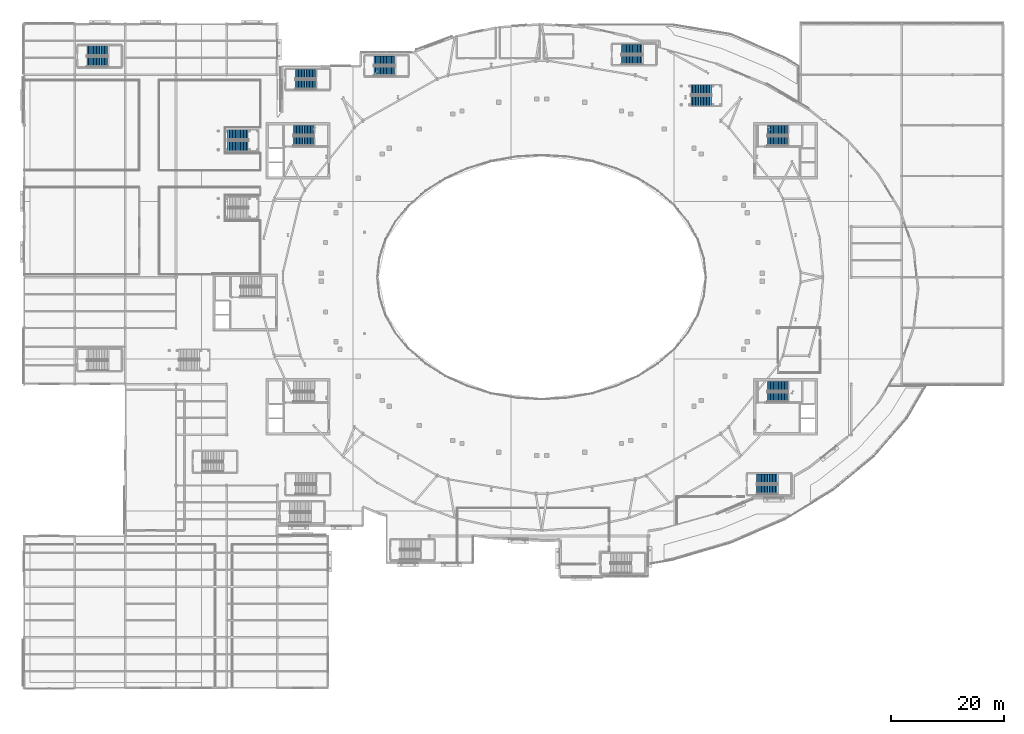
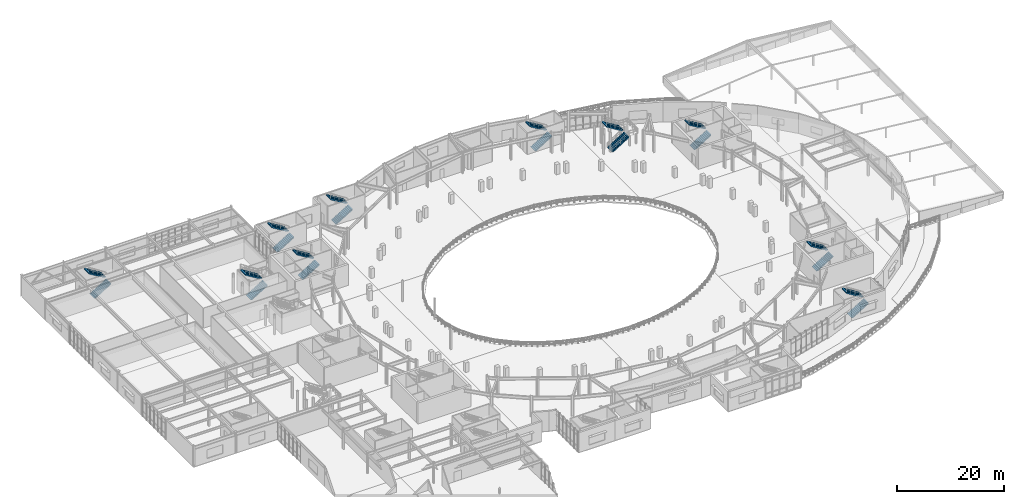
# One storey, part 66 of 84: 20 stair flights, 10 elements without a shape of their own.
"""IFC4 building model written with IfcOpenShell, lengths in metres."""

from ifc_helpers import new_model, si_unit, direction, frame, origin, place, context, subcontext, project, spatial, polyline, outline, extrude, material, type_object, element, aggregate, save


model = new_model("IFC4")

# Units and contexts
model_context = context("Model", 3, precision=1e-05, world=origin(), true_north=direction((0.0, 1.0)))
body_context = subcontext(model_context, "Body", "Model", "MODEL_VIEW")
ifc_project = project(units=[si_unit("LENGTHUNIT", "METRE"), si_unit("AREAUNIT", "SQUARE_METRE"), si_unit("VOLUMEUNIT", "CUBIC_METRE"), si_unit("PLANEANGLEUNIT", "RADIAN"), si_unit("MASSUNIT", "GRAM", prefix="KILO")], contexts=[model_context])

# Site, building, storey
site_placement = place(None, origin())
site = spatial("IfcSite", under=ifc_project, at=site_placement, CompositionType="ELEMENT")
building_placement = place(site_placement, origin())
building = spatial("IfcBuilding", under=site, at=building_placement, Name="Glasvene Arena", CompositionType="ELEMENT")
storey_placement = place(building_placement, frame((0.0, 0.0, 10.199951171875)))
storey = spatial("IfcBuildingStorey", under=building, at=storey_placement, Name="L02", CompositionType="ELEMENT", Elevation=10.199951171875)

# Stair, stair flights
ifc_material = material(Name="Concrete C40/50", Category="concrete")
stair_type_1 = type_object("IfcStairType", Name="ST-HT-480-165", PredefinedType="HALF_TURN_STAIR", material=ifc_material)
stair_1_placement = place(storey_placement, origin())
stair_1 = element("IfcStair", 1, at=stair_1_placement, inside=storey, type_object=stair_type_1, Name="Protected escape stair ST-10 (L02 to L03)", PredefinedType="HALF_TURN_STAIR")
stair_flight_type_1 = type_object("IfcStairFlightType", Name="SF-HT-480-165", PredefinedType="STRAIGHT", material=ifc_material)
stair_flight_1_placement = place(storey_placement, frame((62.199951171875, 109.625, 0.0), z_axis=(0.0, 0.0, 1.0), x_axis=(1.0, 0.0, 0.0)))
stair_flight_1 = element("IfcStairFlight", 2, at=stair_flight_1_placement, type_object=stair_flight_type_1, Name="Protected escape stair ST-10 (L02 to L03) flight 1", NumberOfRisers=14, NumberOfTreads=13, PredefinedType="STRAIGHT", RiserHeight=0.171429, TreadLength=0.28, context=body_context, shape_type="SweptSolid", body=[
    extrude(outline(polyline([(0.0, 0.0), (0.0, 0.17138671875), (0.280029296875, 0.17138671875), (0.280029296875, 0.3427734375), (0.56005859375, 0.3427734375), (0.56005859375, 0.514404296875), (0.840087890625, 0.514404296875), (0.840087890625, 0.685791015625), (1.1201171875, 0.685791015625), (1.1201171875, 0.857177734375), (1.39990234375, 0.857177734375), (1.39990234375, 1.028564453125), (1.679931640625, 1.028564453125), (1.679931640625, 1.199951171875), (1.9599609375, 1.199951171875), (1.9599609375, 1.371337890625), (2.239990234375, 1.371337890625), (2.239990234375, 1.54296875), (2.52001953125, 1.54296875), (2.52001953125, 1.71435546875), (2.800048828125, 1.71435546875), (2.800048828125, 1.8857421875), (3.080078125, 1.8857421875), (3.080078125, 2.05712890625), (3.360107421875, 2.05712890625), (3.360107421875, 2.228515625), (3.639892578125, 2.228515625), (3.639892578125, 2.39990234375), (3.639892578125, 1.994140625), (0.383056640625, 0.0), (0.0, 0.0)])), frame((0.0, 0.824951171875, 0.0), z_axis=(0.0, -1.0, 0.0), x_axis=(1.0, 0.0, 0.0)), (0.0, 0.0, 1.0), 1.64990234375),
])
stair_flight_2_placement = place(storey_placement, frame((65.840087890625, 111.52490234375, 2.400146484375), z_axis=(0.0, 0.0, 1.0), x_axis=(-1.0, 0.0, 0.0)))
stair_flight_2 = element("IfcStairFlight", 3, at=stair_flight_2_placement, type_object=stair_flight_type_1, Name="Protected escape stair ST-10 (L02 to L03) flight 2", NumberOfRisers=14, NumberOfTreads=13, PredefinedType="STRAIGHT", RiserHeight=0.171429, TreadLength=0.28, context=body_context, shape_type="SweptSolid", body=[
    extrude(outline(polyline([(0.0, 0.0), (0.0, 0.17138671875), (0.280029296875, 0.17138671875), (0.280029296875, 0.3427734375), (0.56005859375, 0.3427734375), (0.56005859375, 0.514404296875), (0.840087890625, 0.514404296875), (0.840087890625, 0.685791015625), (1.1201171875, 0.685791015625), (1.1201171875, 0.857177734375), (1.39990234375, 0.857177734375), (1.39990234375, 1.028564453125), (1.679931640625, 1.028564453125), (1.679931640625, 1.199951171875), (1.9599609375, 1.199951171875), (1.9599609375, 1.371337890625), (2.239990234375, 1.371337890625), (2.239990234375, 1.54296875), (2.52001953125, 1.54296875), (2.52001953125, 1.71435546875), (2.800048828125, 1.71435546875), (2.800048828125, 1.8857421875), (3.080078125, 1.8857421875), (3.080078125, 2.05712890625), (3.360107421875, 2.05712890625), (3.360107421875, 2.228515625), (3.639892578125, 2.228515625), (3.639892578125, 2.39990234375), (3.639892578125, 1.994140625), (0.383056640625, 0.0), (0.0, 0.0)])), frame((0.0, 0.824951171875, 0.0), z_axis=(0.0, -1.0, 0.0), x_axis=(1.0, 0.0, 0.0)), (0.0, 0.0, 1.0), 1.64990234375),
])
aggregate(stair_1, [stair_flight_1, stair_flight_2])

stair_2_placement = place(storey_placement, origin())
stair_2 = element("IfcStair", 4, at=stair_2_placement, inside=storey, type_object=stair_type_1, Name="Protected escape stair ST-11 (L02 to L03)", PredefinedType="HALF_TURN_STAIR")
stair_flight_3_placement = place(storey_placement, frame((106.199951171875, 111.625, 0.0), z_axis=(0.0, 0.0, 1.0), x_axis=(1.0, 0.0, 0.0)))
stair_flight_3 = element("IfcStairFlight", 5, at=stair_flight_3_placement, type_object=stair_flight_type_1, Name="Protected escape stair ST-11 (L02 to L03) flight 1", NumberOfRisers=14, NumberOfTreads=13, PredefinedType="STRAIGHT", RiserHeight=0.171429, TreadLength=0.28, context=body_context, shape_type="SweptSolid", body=[
    extrude(outline(polyline([(0.0, 0.0), (0.0, 0.17138671875), (0.280029296875, 0.17138671875), (0.280029296875, 0.3427734375), (0.56005859375, 0.3427734375), (0.56005859375, 0.514404296875), (0.840087890625, 0.514404296875), (0.840087890625, 0.685791015625), (1.1201171875, 0.685791015625), (1.1201171875, 0.857177734375), (1.39990234375, 0.857177734375), (1.39990234375, 1.028564453125), (1.679931640625, 1.028564453125), (1.679931640625, 1.199951171875), (1.9599609375, 1.199951171875), (1.9599609375, 1.371337890625), (2.239990234375, 1.371337890625), (2.239990234375, 1.54296875), (2.52001953125, 1.54296875), (2.52001953125, 1.71435546875), (2.800048828125, 1.71435546875), (2.800048828125, 1.8857421875), (3.080078125, 1.8857421875), (3.080078125, 2.05712890625), (3.360107421875, 2.05712890625), (3.360107421875, 2.228515625), (3.639892578125, 2.228515625), (3.639892578125, 2.39990234375), (3.639892578125, 1.994140625), (0.383056640625, 0.0), (0.0, 0.0)])), frame((0.0, 0.824951171875, 0.0), z_axis=(0.0, -1.0, 0.0), x_axis=(1.0, 0.0, 0.0)), (0.0, 0.0, 1.0), 1.64990234375),
])
stair_flight_4_placement = place(storey_placement, frame((109.840087890625, 113.52490234375, 2.400146484375), z_axis=(0.0, 0.0, 1.0), x_axis=(-1.0, 0.0, 0.0)))
stair_flight_4 = element("IfcStairFlight", 6, at=stair_flight_4_placement, type_object=stair_flight_type_1, Name="Protected escape stair ST-11 (L02 to L03) flight 2", NumberOfRisers=14, NumberOfTreads=13, PredefinedType="STRAIGHT", RiserHeight=0.171429, TreadLength=0.28, context=body_context, shape_type="SweptSolid", body=[
    extrude(outline(polyline([(0.0, 0.0), (0.0, 0.17138671875), (0.280029296875, 0.17138671875), (0.280029296875, 0.3427734375), (0.56005859375, 0.3427734375), (0.56005859375, 0.514404296875), (0.840087890625, 0.514404296875), (0.840087890625, 0.685791015625), (1.1201171875, 0.685791015625), (1.1201171875, 0.857177734375), (1.39990234375, 0.857177734375), (1.39990234375, 1.028564453125), (1.679931640625, 1.028564453125), (1.679931640625, 1.199951171875), (1.9599609375, 1.199951171875), (1.9599609375, 1.371337890625), (2.239990234375, 1.371337890625), (2.239990234375, 1.54296875), (2.52001953125, 1.54296875), (2.52001953125, 1.71435546875), (2.800048828125, 1.71435546875), (2.800048828125, 1.8857421875), (3.080078125, 1.8857421875), (3.080078125, 2.05712890625), (3.360107421875, 2.05712890625), (3.360107421875, 2.228515625), (3.639892578125, 2.228515625), (3.639892578125, 2.39990234375), (3.639892578125, 1.994140625), (0.383056640625, 0.0), (0.0, 0.0)])), frame((0.0, 0.824951171875, 0.0), z_axis=(0.0, -1.0, 0.0), x_axis=(1.0, 0.0, 0.0)), (0.0, 0.0, 1.0), 1.64990234375),
])
aggregate(stair_2, [stair_flight_3, stair_flight_4])

stair_3_placement = place(storey_placement, origin())
stair_3 = element("IfcStair", 7, at=stair_3_placement, inside=storey, type_object=stair_type_1, Name="Protected escape stair ST-12 (L02 to L03)", PredefinedType="HALF_TURN_STAIR")
stair_flight_5_placement = place(storey_placement, frame((48.199951171875, 107.22509765625, 0.0), z_axis=(0.0, 0.0, 1.0), x_axis=(1.0, 0.0, 0.0)))
stair_flight_5 = element("IfcStairFlight", 8, at=stair_flight_5_placement, type_object=stair_flight_type_1, Name="Protected escape stair ST-12 (L02 to L03) flight 1", NumberOfRisers=14, NumberOfTreads=13, PredefinedType="STRAIGHT", RiserHeight=0.171429, TreadLength=0.28, context=body_context, shape_type="SweptSolid", body=[
    extrude(outline(polyline([(0.0, 0.0), (0.0, 0.17138671875), (0.280029296875, 0.17138671875), (0.280029296875, 0.3427734375), (0.56005859375, 0.3427734375), (0.56005859375, 0.514404296875), (0.840087890625, 0.514404296875), (0.840087890625, 0.685791015625), (1.1201171875, 0.685791015625), (1.1201171875, 0.857177734375), (1.39990234375, 0.857177734375), (1.39990234375, 1.028564453125), (1.679931640625, 1.028564453125), (1.679931640625, 1.199951171875), (1.9599609375, 1.199951171875), (1.9599609375, 1.371337890625), (2.239990234375, 1.371337890625), (2.239990234375, 1.54296875), (2.52001953125, 1.54296875), (2.52001953125, 1.71435546875), (2.800048828125, 1.71435546875), (2.800048828125, 1.8857421875), (3.080078125, 1.8857421875), (3.080078125, 2.05712890625), (3.360107421875, 2.05712890625), (3.360107421875, 2.228515625), (3.639892578125, 2.228515625), (3.639892578125, 2.39990234375), (3.639892578125, 1.994140625), (0.383056640625, 0.0), (0.0, 0.0)])), frame((0.0, 0.824951171875, 0.0), z_axis=(0.0, -1.0, 0.0), x_axis=(1.0, 0.0, 0.0)), (0.0, 0.0, 1.0), 1.64990234375),
])
stair_flight_6_placement = place(storey_placement, frame((51.840087890625, 109.125, 2.400146484375), z_axis=(0.0, 0.0, 1.0), x_axis=(-1.0, 0.0, 0.0)))
stair_flight_6 = element("IfcStairFlight", 9, at=stair_flight_6_placement, type_object=stair_flight_type_1, Name="Protected escape stair ST-12 (L02 to L03) flight 2", NumberOfRisers=14, NumberOfTreads=13, PredefinedType="STRAIGHT", RiserHeight=0.171429, TreadLength=0.28, context=body_context, shape_type="SweptSolid", body=[
    extrude(outline(polyline([(0.0, 0.0), (0.0, 0.17138671875), (0.280029296875, 0.17138671875), (0.280029296875, 0.3427734375), (0.56005859375, 0.3427734375), (0.56005859375, 0.514404296875), (0.840087890625, 0.514404296875), (0.840087890625, 0.685791015625), (1.1201171875, 0.685791015625), (1.1201171875, 0.857177734375), (1.39990234375, 0.857177734375), (1.39990234375, 1.028564453125), (1.679931640625, 1.028564453125), (1.679931640625, 1.199951171875), (1.9599609375, 1.199951171875), (1.9599609375, 1.371337890625), (2.239990234375, 1.371337890625), (2.239990234375, 1.54296875), (2.52001953125, 1.54296875), (2.52001953125, 1.71435546875), (2.800048828125, 1.71435546875), (2.800048828125, 1.8857421875), (3.080078125, 1.8857421875), (3.080078125, 2.05712890625), (3.360107421875, 2.05712890625), (3.360107421875, 2.228515625), (3.639892578125, 2.228515625), (3.639892578125, 2.39990234375), (3.639892578125, 1.994140625), (0.383056640625, 0.0), (0.0, 0.0)])), frame((0.0, 0.824951171875, 0.0), z_axis=(0.0, -1.0, 0.0), x_axis=(1.0, 0.0, 0.0)), (0.0, 0.0, 1.0), 1.64990234375),
])
aggregate(stair_3, [stair_flight_5, stair_flight_6])

stair_type_2 = type_object("IfcStairType", Name="ST-HT-480-170", PredefinedType="HALF_TURN_STAIR", material=ifc_material)
stair_4_placement = place(storey_placement, origin())
stair_4 = element("IfcStair", 10, at=stair_4_placement, inside=storey, type_object=stair_type_2, Name="Protected escape stair ST-01 (L02 to L03)", PredefinedType="HALF_TURN_STAIR")
stair_flight_type_2 = type_object("IfcStairFlightType", Name="SF-HT-480-170", PredefinedType="STRAIGHT", material=ifc_material)
stair_flight_7_placement = place(storey_placement, frame((47.85009765625, 97.199951171875, 0.0), z_axis=(0.0, 0.0, 1.0), x_axis=(1.0, 0.0, 0.0)))
stair_flight_7 = element("IfcStairFlight", 11, at=stair_flight_7_placement, type_object=stair_flight_type_2, Name="Protected escape stair ST-01 (L02 to L03) flight 1", NumberOfRisers=14, NumberOfTreads=13, PredefinedType="STRAIGHT", RiserHeight=0.171429, TreadLength=0.28, context=body_context, shape_type="SweptSolid", body=[
    extrude(outline(polyline([(0.0, 0.0), (0.0, 0.17138671875), (0.280029296875, 0.17138671875), (0.280029296875, 0.3427734375), (0.56005859375, 0.3427734375), (0.56005859375, 0.514404296875), (0.840087890625, 0.514404296875), (0.840087890625, 0.685791015625), (1.1201171875, 0.685791015625), (1.1201171875, 0.857177734375), (1.39990234375, 0.857177734375), (1.39990234375, 1.028564453125), (1.679931640625, 1.028564453125), (1.679931640625, 1.199951171875), (1.9599609375, 1.199951171875), (1.9599609375, 1.371337890625), (2.239990234375, 1.371337890625), (2.239990234375, 1.54296875), (2.52001953125, 1.54296875), (2.52001953125, 1.71435546875), (2.800048828125, 1.71435546875), (2.800048828125, 1.8857421875), (3.080078125, 1.8857421875), (3.080078125, 2.05712890625), (3.360107421875, 2.05712890625), (3.360107421875, 2.228515625), (3.639892578125, 2.228515625), (3.639892578125, 2.39990234375), (3.639892578125, 1.994140625), (0.383056640625, 0.0), (0.0, 0.0)])), frame((0.0, 0.85009765625, 0.0), z_axis=(0.0, -1.0, 0.0), x_axis=(1.0, 0.0, 0.0)), (0.0, 0.0, 1.0), 1.699951171875),
])
stair_flight_8_placement = place(storey_placement, frame((51.489990234375, 99.14990234375, 2.400146484375), z_axis=(0.0, 0.0, 1.0), x_axis=(-1.0, 0.0, 0.0)))
stair_flight_8 = element("IfcStairFlight", 12, at=stair_flight_8_placement, type_object=stair_flight_type_2, Name="Protected escape stair ST-01 (L02 to L03) flight 2", NumberOfRisers=14, NumberOfTreads=13, PredefinedType="STRAIGHT", RiserHeight=0.171429, TreadLength=0.28, context=body_context, shape_type="SweptSolid", body=[
    extrude(outline(polyline([(0.0, 0.0), (0.0, 0.17138671875), (0.280029296875, 0.17138671875), (0.280029296875, 0.3427734375), (0.56005859375, 0.3427734375), (0.56005859375, 0.514404296875), (0.840087890625, 0.514404296875), (0.840087890625, 0.685791015625), (1.1201171875, 0.685791015625), (1.1201171875, 0.857177734375), (1.39990234375, 0.857177734375), (1.39990234375, 1.028564453125), (1.679931640625, 1.028564453125), (1.679931640625, 1.199951171875), (1.9599609375, 1.199951171875), (1.9599609375, 1.371337890625), (2.239990234375, 1.371337890625), (2.239990234375, 1.54296875), (2.52001953125, 1.54296875), (2.52001953125, 1.71435546875), (2.800048828125, 1.71435546875), (2.800048828125, 1.8857421875), (3.080078125, 1.8857421875), (3.080078125, 2.05712890625), (3.360107421875, 2.05712890625), (3.360107421875, 2.228515625), (3.639892578125, 2.228515625), (3.639892578125, 2.39990234375), (3.639892578125, 1.994140625), (0.383056640625, 0.0), (0.0, 0.0)])), frame((0.0, 0.85009765625, 0.0), z_axis=(0.0, -1.0, 0.0), x_axis=(1.0, 0.0, 0.0)), (0.0, 0.0, 1.0), 1.699951171875),
])
aggregate(stair_4, [stair_flight_7, stair_flight_8])

stair_5_placement = place(storey_placement, origin())
stair_5 = element("IfcStair", 13, at=stair_5_placement, inside=storey, type_object=stair_type_2, Name="Protected escape stair ST-02 (L02 to L03)", PredefinedType="HALF_TURN_STAIR")
stair_flight_9_placement = place(storey_placement, frame((132.10009765625, 97.199951171875, 0.0), z_axis=(0.0, 0.0, 1.0), x_axis=(1.0, 0.0, 0.0)))
stair_flight_9 = element("IfcStairFlight", 14, at=stair_flight_9_placement, type_object=stair_flight_type_2, Name="Protected escape stair ST-02 (L02 to L03) flight 1", NumberOfRisers=14, NumberOfTreads=13, PredefinedType="STRAIGHT", RiserHeight=0.171429, TreadLength=0.28, context=body_context, shape_type="SweptSolid", body=[
    extrude(outline(polyline([(0.0, 0.0), (0.0, 0.17138671875), (0.280029296875, 0.17138671875), (0.280029296875, 0.3427734375), (0.56005859375, 0.3427734375), (0.56005859375, 0.514404296875), (0.840087890625, 0.514404296875), (0.840087890625, 0.685791015625), (1.1201171875, 0.685791015625), (1.1201171875, 0.857177734375), (1.39990234375, 0.857177734375), (1.39990234375, 1.028564453125), (1.679931640625, 1.028564453125), (1.679931640625, 1.199951171875), (1.9599609375, 1.199951171875), (1.9599609375, 1.371337890625), (2.239990234375, 1.371337890625), (2.239990234375, 1.54296875), (2.52001953125, 1.54296875), (2.52001953125, 1.71435546875), (2.800048828125, 1.71435546875), (2.800048828125, 1.8857421875), (3.080078125, 1.8857421875), (3.080078125, 2.05712890625), (3.360107421875, 2.05712890625), (3.360107421875, 2.228515625), (3.639892578125, 2.228515625), (3.639892578125, 2.39990234375), (3.639892578125, 1.994140625), (0.383056640625, 0.0), (0.0, 0.0)])), frame((0.0, 0.85009765625, 0.0), z_axis=(0.0, -1.0, 0.0), x_axis=(1.0, 0.0, 0.0)), (0.0, 0.0, 1.0), 1.699951171875),
])
stair_flight_10_placement = place(storey_placement, frame((135.739990234375, 99.14990234375, 2.400146484375), z_axis=(0.0, 0.0, 1.0), x_axis=(-1.0, 0.0, 0.0)))
stair_flight_10 = element("IfcStairFlight", 15, at=stair_flight_10_placement, type_object=stair_flight_type_2, Name="Protected escape stair ST-02 (L02 to L03) flight 2", NumberOfRisers=14, NumberOfTreads=13, PredefinedType="STRAIGHT", RiserHeight=0.171429, TreadLength=0.28, context=body_context, shape_type="SweptSolid", body=[
    extrude(outline(polyline([(0.0, 0.0), (0.0, 0.17138671875), (0.280029296875, 0.17138671875), (0.280029296875, 0.3427734375), (0.56005859375, 0.3427734375), (0.56005859375, 0.514404296875), (0.840087890625, 0.514404296875), (0.840087890625, 0.685791015625), (1.1201171875, 0.685791015625), (1.1201171875, 0.857177734375), (1.39990234375, 0.857177734375), (1.39990234375, 1.028564453125), (1.679931640625, 1.028564453125), (1.679931640625, 1.199951171875), (1.9599609375, 1.199951171875), (1.9599609375, 1.371337890625), (2.239990234375, 1.371337890625), (2.239990234375, 1.54296875), (2.52001953125, 1.54296875), (2.52001953125, 1.71435546875), (2.800048828125, 1.71435546875), (2.800048828125, 1.8857421875), (3.080078125, 1.8857421875), (3.080078125, 2.05712890625), (3.360107421875, 2.05712890625), (3.360107421875, 2.228515625), (3.639892578125, 2.228515625), (3.639892578125, 2.39990234375), (3.639892578125, 1.994140625), (0.383056640625, 0.0), (0.0, 0.0)])), frame((0.0, 0.85009765625, 0.0), z_axis=(0.0, -1.0, 0.0), x_axis=(1.0, 0.0, 0.0)), (0.0, 0.0, 1.0), 1.699951171875),
])
aggregate(stair_5, [stair_flight_9, stair_flight_10])

stair_6_placement = place(storey_placement, origin())
stair_6 = element("IfcStair", 16, at=stair_6_placement, inside=storey, type_object=stair_type_2, Name="Protected escape stair ST-04 (L02 to L03)", PredefinedType="HALF_TURN_STAIR")
stair_flight_11_placement = place(storey_placement, frame((132.10009765625, 51.699951171875, 0.0), z_axis=(0.0, 0.0, 1.0), x_axis=(1.0, 0.0, 0.0)))
stair_flight_11 = element("IfcStairFlight", 17, at=stair_flight_11_placement, type_object=stair_flight_type_2, Name="Protected escape stair ST-04 (L02 to L03) flight 1", NumberOfRisers=14, NumberOfTreads=13, PredefinedType="STRAIGHT", RiserHeight=0.171429, TreadLength=0.28, context=body_context, shape_type="SweptSolid", body=[
    extrude(outline(polyline([(0.0, 0.0), (0.0, 0.17138671875), (0.280029296875, 0.17138671875), (0.280029296875, 0.3427734375), (0.56005859375, 0.3427734375), (0.56005859375, 0.514404296875), (0.840087890625, 0.514404296875), (0.840087890625, 0.685791015625), (1.1201171875, 0.685791015625), (1.1201171875, 0.857177734375), (1.39990234375, 0.857177734375), (1.39990234375, 1.028564453125), (1.679931640625, 1.028564453125), (1.679931640625, 1.199951171875), (1.9599609375, 1.199951171875), (1.9599609375, 1.371337890625), (2.239990234375, 1.371337890625), (2.239990234375, 1.54296875), (2.52001953125, 1.54296875), (2.52001953125, 1.71435546875), (2.800048828125, 1.71435546875), (2.800048828125, 1.8857421875), (3.080078125, 1.8857421875), (3.080078125, 2.05712890625), (3.360107421875, 2.05712890625), (3.360107421875, 2.228515625), (3.639892578125, 2.228515625), (3.639892578125, 2.39990234375), (3.639892578125, 1.994140625), (0.383056640625, 0.0), (0.0, 0.0)])), frame((0.0, 0.85009765625, 0.0), z_axis=(0.0, -1.0, 0.0), x_axis=(1.0, 0.0, 0.0)), (0.0, 0.0, 1.0), 1.699951171875),
])
stair_flight_12_placement = place(storey_placement, frame((135.739990234375, 53.64990234375, 2.400146484375), z_axis=(0.0, 0.0, 1.0), x_axis=(-1.0, 0.0, 0.0)))
stair_flight_12 = element("IfcStairFlight", 18, at=stair_flight_12_placement, type_object=stair_flight_type_2, Name="Protected escape stair ST-04 (L02 to L03) flight 2", NumberOfRisers=14, NumberOfTreads=13, PredefinedType="STRAIGHT", RiserHeight=0.171429, TreadLength=0.28, context=body_context, shape_type="SweptSolid", body=[
    extrude(outline(polyline([(0.0, 0.0), (0.0, 0.17138671875), (0.280029296875, 0.17138671875), (0.280029296875, 0.3427734375), (0.56005859375, 0.3427734375), (0.56005859375, 0.514404296875), (0.840087890625, 0.514404296875), (0.840087890625, 0.685791015625), (1.1201171875, 0.685791015625), (1.1201171875, 0.857177734375), (1.39990234375, 0.857177734375), (1.39990234375, 1.028564453125), (1.679931640625, 1.028564453125), (1.679931640625, 1.199951171875), (1.9599609375, 1.199951171875), (1.9599609375, 1.371337890625), (2.239990234375, 1.371337890625), (2.239990234375, 1.54296875), (2.52001953125, 1.54296875), (2.52001953125, 1.71435546875), (2.800048828125, 1.71435546875), (2.800048828125, 1.8857421875), (3.080078125, 1.8857421875), (3.080078125, 2.05712890625), (3.360107421875, 2.05712890625), (3.360107421875, 2.228515625), (3.639892578125, 2.228515625), (3.639892578125, 2.39990234375), (3.639892578125, 1.994140625), (0.383056640625, 0.0), (0.0, 0.0)])), frame((0.0, 0.85009765625, 0.0), z_axis=(0.0, -1.0, 0.0), x_axis=(1.0, 0.0, 0.0)), (0.0, 0.0, 1.0), 1.699951171875),
])
aggregate(stair_6, [stair_flight_11, stair_flight_12])

stair_7_placement = place(storey_placement, origin())
stair_7 = element("IfcStair", 19, at=stair_7_placement, inside=storey, type_object=stair_type_2, Name="Protected escape stair ST-06 (L02 to L03)", PredefinedType="HALF_TURN_STAIR")
stair_flight_13_placement = place(storey_placement, frame((130.199951171875, 35.25, 0.0), z_axis=(0.0, 0.0, 1.0), x_axis=(1.0, 0.0, 0.0)))
stair_flight_13 = element("IfcStairFlight", 20, at=stair_flight_13_placement, type_object=stair_flight_type_2, Name="Protected escape stair ST-06 (L02 to L03) flight 1", NumberOfRisers=14, NumberOfTreads=13, PredefinedType="STRAIGHT", RiserHeight=0.171429, TreadLength=0.28, context=body_context, shape_type="SweptSolid", body=[
    extrude(outline(polyline([(0.0, 0.0), (0.0, 0.17138671875), (0.280029296875, 0.17138671875), (0.280029296875, 0.3427734375), (0.56005859375, 0.3427734375), (0.56005859375, 0.514404296875), (0.840087890625, 0.514404296875), (0.840087890625, 0.685791015625), (1.1201171875, 0.685791015625), (1.1201171875, 0.857177734375), (1.39990234375, 0.857177734375), (1.39990234375, 1.028564453125), (1.679931640625, 1.028564453125), (1.679931640625, 1.199951171875), (1.9599609375, 1.199951171875), (1.9599609375, 1.371337890625), (2.239990234375, 1.371337890625), (2.239990234375, 1.54296875), (2.52001953125, 1.54296875), (2.52001953125, 1.71435546875), (2.800048828125, 1.71435546875), (2.800048828125, 1.8857421875), (3.080078125, 1.8857421875), (3.080078125, 2.05712890625), (3.360107421875, 2.05712890625), (3.360107421875, 2.228515625), (3.639892578125, 2.228515625), (3.639892578125, 2.39990234375), (3.639892578125, 1.994140625), (0.383056640625, 0.0), (0.0, 0.0)])), frame((0.0, 0.85009765625, 0.0), z_axis=(0.0, -1.0, 0.0), x_axis=(1.0, 0.0, 0.0)), (0.0, 0.0, 1.0), 1.699951171875),
])
stair_flight_14_placement = place(storey_placement, frame((133.840087890625, 37.199951171875, 2.400146484375), z_axis=(0.0, 0.0, 1.0), x_axis=(-1.0, 0.0, 0.0)))
stair_flight_14 = element("IfcStairFlight", 21, at=stair_flight_14_placement, type_object=stair_flight_type_2, Name="Protected escape stair ST-06 (L02 to L03) flight 2", NumberOfRisers=14, NumberOfTreads=13, PredefinedType="STRAIGHT", RiserHeight=0.171429, TreadLength=0.28, context=body_context, shape_type="SweptSolid", body=[
    extrude(outline(polyline([(0.0, 0.0), (0.0, 0.17138671875), (0.280029296875, 0.17138671875), (0.280029296875, 0.3427734375), (0.56005859375, 0.3427734375), (0.56005859375, 0.514404296875), (0.840087890625, 0.514404296875), (0.840087890625, 0.685791015625), (1.1201171875, 0.685791015625), (1.1201171875, 0.857177734375), (1.39990234375, 0.857177734375), (1.39990234375, 1.028564453125), (1.679931640625, 1.028564453125), (1.679931640625, 1.199951171875), (1.9599609375, 1.199951171875), (1.9599609375, 1.371337890625), (2.239990234375, 1.371337890625), (2.239990234375, 1.54296875), (2.52001953125, 1.54296875), (2.52001953125, 1.71435546875), (2.800048828125, 1.71435546875), (2.800048828125, 1.8857421875), (3.080078125, 1.8857421875), (3.080078125, 2.05712890625), (3.360107421875, 2.05712890625), (3.360107421875, 2.228515625), (3.639892578125, 2.228515625), (3.639892578125, 2.39990234375), (3.639892578125, 1.994140625), (0.383056640625, 0.0), (0.0, 0.0)])), frame((0.0, 0.85009765625, 0.0), z_axis=(0.0, -1.0, 0.0), x_axis=(1.0, 0.0, 0.0)), (0.0, 0.0, 1.0), 1.699951171875),
])
aggregate(stair_7, [stair_flight_13, stair_flight_14])

stair_type_3 = type_object("IfcStairType", Name="ST-HT-480-175", PredefinedType="HALF_TURN_STAIR", material=ifc_material)
stair_8_placement = place(storey_placement, origin())
stair_8 = element("IfcStair", 22, at=stair_8_placement, inside=storey, type_object=stair_type_3, Name="Protected escape stair ST-14 (L02 to L03)", PredefinedType="HALF_TURN_STAIR")
stair_flight_type_3 = type_object("IfcStairFlightType", Name="SF-HT-480-175", PredefinedType="STRAIGHT", material=ifc_material)
stair_flight_15_placement = place(storey_placement, frame((11.199951171875, 111.27490234375, 0.0), z_axis=(0.0, 0.0, 1.0), x_axis=(1.0, 0.0, 0.0)))
stair_flight_15 = element("IfcStairFlight", 23, at=stair_flight_15_placement, type_object=stair_flight_type_3, Name="Protected escape stair ST-14 (L02 to L03) flight 1", NumberOfRisers=14, NumberOfTreads=13, PredefinedType="STRAIGHT", RiserHeight=0.171429, TreadLength=0.28, context=body_context, shape_type="SweptSolid", body=[
    extrude(outline(polyline([(0.0, 0.0), (0.0, 0.17138671875), (0.280029296875, 0.17138671875), (0.280029296875, 0.3427734375), (0.56005859375, 0.3427734375), (0.56005859375, 0.514404296875), (0.840087890625, 0.514404296875), (0.840087890625, 0.685791015625), (1.1201171875, 0.685791015625), (1.1201171875, 0.857177734375), (1.39990234375, 0.857177734375), (1.39990234375, 1.028564453125), (1.679931640625, 1.028564453125), (1.679931640625, 1.199951171875), (1.9599609375, 1.199951171875), (1.9599609375, 1.371337890625), (2.239990234375, 1.371337890625), (2.239990234375, 1.54296875), (2.52001953125, 1.54296875), (2.52001953125, 1.71435546875), (2.800048828125, 1.71435546875), (2.800048828125, 1.8857421875), (3.080078125, 1.8857421875), (3.080078125, 2.05712890625), (3.360107421875, 2.05712890625), (3.360107421875, 2.228515625), (3.639892578125, 2.228515625), (3.639892578125, 2.39990234375), (3.639892578125, 1.994140625), (0.383056640625, 0.0), (0.0, 0.0)])), frame((0.0, 0.875, 0.0), z_axis=(0.0, -1.0, 0.0), x_axis=(1.0, 0.0, 0.0)), (0.0, 0.0, 1.0), 1.75),
])
stair_flight_16_placement = place(storey_placement, frame((14.840087890625, 113.27490234375, 2.400146484375), z_axis=(0.0, 0.0, 1.0), x_axis=(-1.0, 0.0, 0.0)))
stair_flight_16 = element("IfcStairFlight", 24, at=stair_flight_16_placement, type_object=stair_flight_type_3, Name="Protected escape stair ST-14 (L02 to L03) flight 2", NumberOfRisers=14, NumberOfTreads=13, PredefinedType="STRAIGHT", RiserHeight=0.171429, TreadLength=0.28, context=body_context, shape_type="SweptSolid", body=[
    extrude(outline(polyline([(0.0, 0.0), (0.0, 0.17138671875), (0.280029296875, 0.17138671875), (0.280029296875, 0.3427734375), (0.56005859375, 0.3427734375), (0.56005859375, 0.514404296875), (0.840087890625, 0.514404296875), (0.840087890625, 0.685791015625), (1.1201171875, 0.685791015625), (1.1201171875, 0.857177734375), (1.39990234375, 0.857177734375), (1.39990234375, 1.028564453125), (1.679931640625, 1.028564453125), (1.679931640625, 1.199951171875), (1.9599609375, 1.199951171875), (1.9599609375, 1.371337890625), (2.239990234375, 1.371337890625), (2.239990234375, 1.54296875), (2.52001953125, 1.54296875), (2.52001953125, 1.71435546875), (2.800048828125, 1.71435546875), (2.800048828125, 1.8857421875), (3.080078125, 1.8857421875), (3.080078125, 2.05712890625), (3.360107421875, 2.05712890625), (3.360107421875, 2.228515625), (3.639892578125, 2.228515625), (3.639892578125, 2.39990234375), (3.639892578125, 1.994140625), (0.383056640625, 0.0), (0.0, 0.0)])), frame((0.0, 0.875, 0.0), z_axis=(0.0, -1.0, 0.0), x_axis=(1.0, 0.0, 0.0)), (0.0, 0.0, 1.0), 1.75),
])
aggregate(stair_8, [stair_flight_15, stair_flight_16])

stair_type_4 = type_object("IfcStairType", Name="ST-HT-480-180", PredefinedType="HALF_TURN_STAIR", material=ifc_material)
stair_9_placement = place(storey_placement, origin())
stair_9 = element("IfcStair", 25, at=stair_9_placement, inside=storey, type_object=stair_type_4, Name="Vomitory Stair VOM-06 (L02 to L03)", PredefinedType="HALF_TURN_STAIR")
stair_flight_type_4 = type_object("IfcStairFlightType", Name="SF-HT-480-180", PredefinedType="STRAIGHT", material=ifc_material)
stair_flight_17_placement = place(storey_placement, frame((36.199951171875, 96.300048828125, 0.0), z_axis=(0.0, 0.0, 1.0), x_axis=(1.0, 0.0, 0.0)))
stair_flight_17 = element("IfcStairFlight", 26, at=stair_flight_17_placement, type_object=stair_flight_type_4, Name="Vomitory Stair VOM-06 (L02 to L03) flight 1", NumberOfRisers=14, NumberOfTreads=13, PredefinedType="STRAIGHT", RiserHeight=0.171429, TreadLength=0.28, context=body_context, shape_type="SweptSolid", body=[
    extrude(outline(polyline([(0.0, 0.0), (0.0, 0.17138671875), (0.280029296875, 0.17138671875), (0.280029296875, 0.3427734375), (0.56005859375, 0.3427734375), (0.56005859375, 0.514404296875), (0.840087890625, 0.514404296875), (0.840087890625, 0.685791015625), (1.1201171875, 0.685791015625), (1.1201171875, 0.857177734375), (1.39990234375, 0.857177734375), (1.39990234375, 1.028564453125), (1.679931640625, 1.028564453125), (1.679931640625, 1.199951171875), (1.9599609375, 1.199951171875), (1.9599609375, 1.371337890625), (2.239990234375, 1.371337890625), (2.239990234375, 1.54296875), (2.52001953125, 1.54296875), (2.52001953125, 1.71435546875), (2.800048828125, 1.71435546875), (2.800048828125, 1.8857421875), (3.080078125, 1.8857421875), (3.080078125, 2.05712890625), (3.360107421875, 2.05712890625), (3.360107421875, 2.228515625), (3.639892578125, 2.228515625), (3.639892578125, 2.39990234375), (3.639892578125, 1.994140625), (0.383056640625, 0.0), (0.0, 0.0)])), frame((0.0, 0.89990234375, 0.0), z_axis=(0.0, -1.0, 0.0), x_axis=(1.0, 0.0, 0.0)), (0.0, 0.0, 1.0), 1.800048828125),
])
stair_flight_18_placement = place(storey_placement, frame((39.840087890625, 98.35009765625, 2.400146484375), z_axis=(0.0, 0.0, 1.0), x_axis=(-1.0, 0.0, 0.0)))
stair_flight_18 = element("IfcStairFlight", 27, at=stair_flight_18_placement, type_object=stair_flight_type_4, Name="Vomitory Stair VOM-06 (L02 to L03) flight 2", NumberOfRisers=14, NumberOfTreads=13, PredefinedType="STRAIGHT", RiserHeight=0.171429, TreadLength=0.28, context=body_context, shape_type="SweptSolid", body=[
    extrude(outline(polyline([(0.0, 0.0), (0.0, 0.17138671875), (0.280029296875, 0.17138671875), (0.280029296875, 0.3427734375), (0.56005859375, 0.3427734375), (0.56005859375, 0.514404296875), (0.840087890625, 0.514404296875), (0.840087890625, 0.685791015625), (1.1201171875, 0.685791015625), (1.1201171875, 0.857177734375), (1.39990234375, 0.857177734375), (1.39990234375, 1.028564453125), (1.679931640625, 1.028564453125), (1.679931640625, 1.199951171875), (1.9599609375, 1.199951171875), (1.9599609375, 1.371337890625), (2.239990234375, 1.371337890625), (2.239990234375, 1.54296875), (2.52001953125, 1.54296875), (2.52001953125, 1.71435546875), (2.800048828125, 1.71435546875), (2.800048828125, 1.8857421875), (3.080078125, 1.8857421875), (3.080078125, 2.05712890625), (3.360107421875, 2.05712890625), (3.360107421875, 2.228515625), (3.639892578125, 2.228515625), (3.639892578125, 2.39990234375), (3.639892578125, 1.994140625), (0.383056640625, 0.0), (0.0, 0.0)])), frame((0.0, 0.89990234375, 0.0), z_axis=(0.0, -1.0, 0.0), x_axis=(1.0, 0.0, 0.0)), (0.0, 0.0, 1.0), 1.800048828125),
])
aggregate(stair_9, [stair_flight_17, stair_flight_18])

stair_10_placement = place(storey_placement, origin())
stair_10 = element("IfcStair", 28, at=stair_10_placement, inside=storey, type_object=stair_type_4, Name="Vomitory Stair VOM-08 (L02 to L03)", PredefinedType="HALF_TURN_STAIR")
stair_flight_19_placement = place(storey_placement, frame((118.5, 104.300048828125, 0.0), z_axis=(0.0, 0.0, 1.0), x_axis=(1.0, 0.0, 0.0)))
stair_flight_19 = element("IfcStairFlight", 29, at=stair_flight_19_placement, type_object=stair_flight_type_4, Name="Vomitory Stair VOM-08 (L02 to L03) flight 1", NumberOfRisers=14, NumberOfTreads=13, PredefinedType="STRAIGHT", RiserHeight=0.171429, TreadLength=0.28, context=body_context, shape_type="SweptSolid", body=[
    extrude(outline(polyline([(0.0, 0.0), (0.0, 0.17138671875), (0.280029296875, 0.17138671875), (0.280029296875, 0.3427734375), (0.56005859375, 0.3427734375), (0.56005859375, 0.514404296875), (0.840087890625, 0.514404296875), (0.840087890625, 0.685791015625), (1.1201171875, 0.685791015625), (1.1201171875, 0.857177734375), (1.39990234375, 0.857177734375), (1.39990234375, 1.028564453125), (1.679931640625, 1.028564453125), (1.679931640625, 1.199951171875), (1.9599609375, 1.199951171875), (1.9599609375, 1.371337890625), (2.239990234375, 1.371337890625), (2.239990234375, 1.54296875), (2.52001953125, 1.54296875), (2.52001953125, 1.71435546875), (2.800048828125, 1.71435546875), (2.800048828125, 1.8857421875), (3.080078125, 1.8857421875), (3.080078125, 2.05712890625), (3.360107421875, 2.05712890625), (3.360107421875, 2.228515625), (3.639892578125, 2.228515625), (3.639892578125, 2.39990234375), (3.639892578125, 1.994140625), (0.383056640625, 0.0), (0.0, 0.0)])), frame((0.0, 0.89990234375, 0.0), z_axis=(0.0, -1.0, 0.0), x_axis=(1.0, 0.0, 0.0)), (0.0, 0.0, 1.0), 1.800048828125),
])
stair_flight_20_placement = place(storey_placement, frame((122.139892578125, 106.35009765625, 2.400146484375), z_axis=(0.0, 0.0, 1.0), x_axis=(-1.0, 0.0, 0.0)))
stair_flight_20 = element("IfcStairFlight", 30, at=stair_flight_20_placement, type_object=stair_flight_type_4, Name="Vomitory Stair VOM-08 (L02 to L03) flight 2", NumberOfRisers=14, NumberOfTreads=13, PredefinedType="STRAIGHT", RiserHeight=0.171429, TreadLength=0.28, context=body_context, shape_type="SweptSolid", body=[
    extrude(outline(polyline([(0.0, 0.0), (0.0, 0.17138671875), (0.280029296875, 0.17138671875), (0.280029296875, 0.3427734375), (0.56005859375, 0.3427734375), (0.56005859375, 0.514404296875), (0.840087890625, 0.514404296875), (0.840087890625, 0.685791015625), (1.1201171875, 0.685791015625), (1.1201171875, 0.857177734375), (1.39990234375, 0.857177734375), (1.39990234375, 1.028564453125), (1.679931640625, 1.028564453125), (1.679931640625, 1.199951171875), (1.9599609375, 1.199951171875), (1.9599609375, 1.371337890625), (2.239990234375, 1.371337890625), (2.239990234375, 1.54296875), (2.52001953125, 1.54296875), (2.52001953125, 1.71435546875), (2.800048828125, 1.71435546875), (2.800048828125, 1.8857421875), (3.080078125, 1.8857421875), (3.080078125, 2.05712890625), (3.360107421875, 2.05712890625), (3.360107421875, 2.228515625), (3.639892578125, 2.228515625), (3.639892578125, 2.39990234375), (3.639892578125, 1.994140625), (0.383056640625, 0.0), (0.0, 0.0)])), frame((0.0, 0.89990234375, 0.0), z_axis=(0.0, -1.0, 0.0), x_axis=(1.0, 0.0, 0.0)), (0.0, 0.0, 1.0), 1.800048828125),
])
aggregate(stair_10, [stair_flight_19, stair_flight_20])

save(model, "model.ifc")
